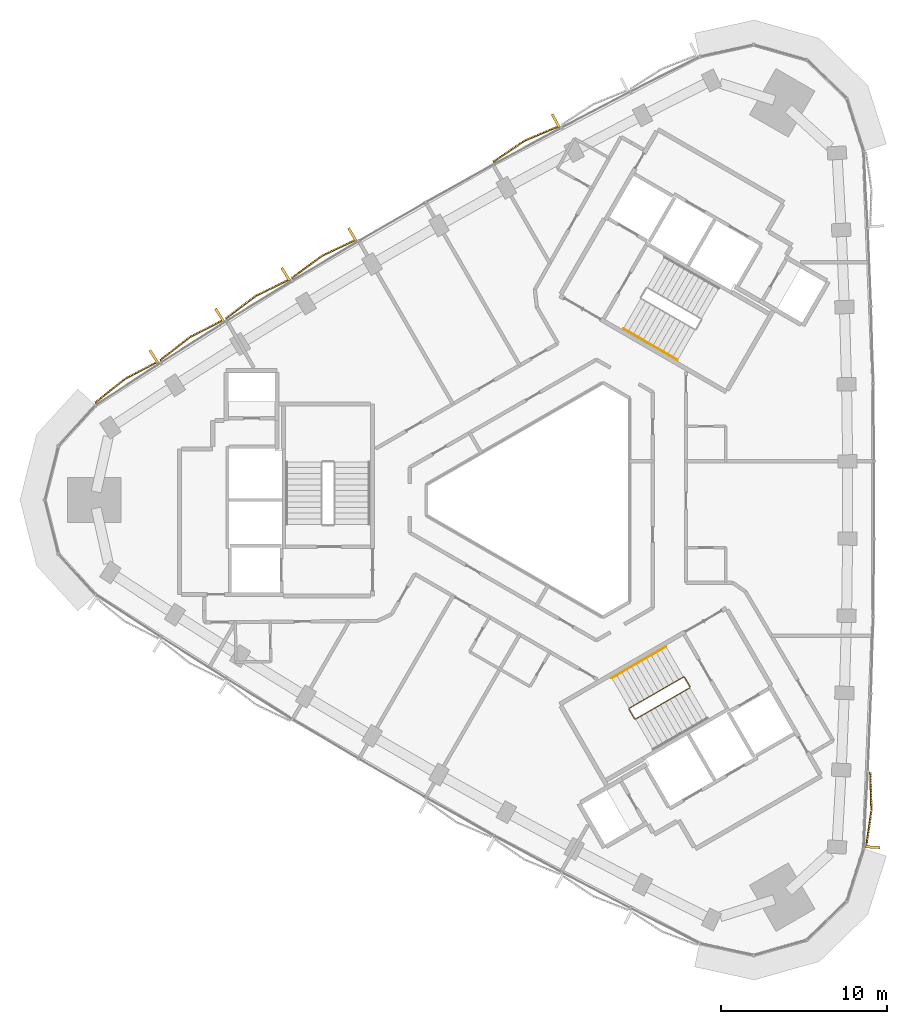
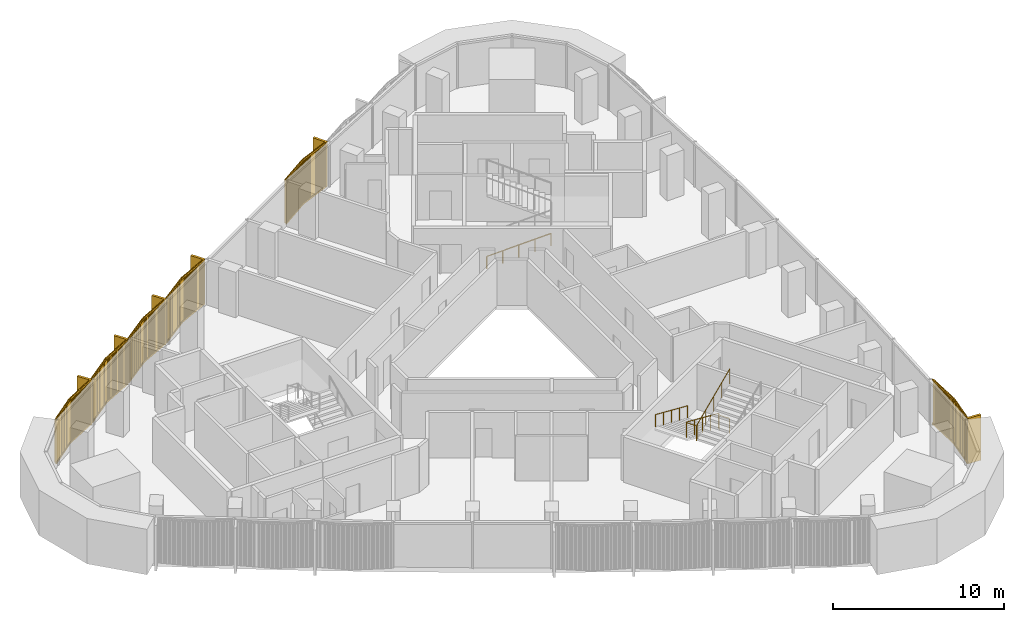
# One storey, part 12 of 13: 6 coverings, 3 railings.
"""IFC4 building model written with IfcOpenShell, lengths in metres."""

import ifcopenshell
import ifcopenshell.guid

model = None  # the IFC model being written
_history = None  # IfcOwnerHistory: only IFC2X3 demands one
_inside = {}  # id of a spatial element -> (the spatial element, [elements in it])
_under = {}  # id of a project, library or spatial element -> (it, [spatial elements below it])
_declared = {}  # id of a project -> (the project, [libraries it declares])
_typed = {}  # id of a type object -> (the type object, [elements of that type])
_made_of = {}  # id of a material, layer set ... -> (it, [elements and type objects made of it])


def new_model(schema):
    """Start an empty IFC model of exactly this schema.

    Asked for "IFC4X3", IfcOpenShell would pick the latest addendum, in which some entities
    have other attributes; the version numbers below select the first issue.
    IFC2X3 requires an IfcOwnerHistory on every rooted entity: one is made here for all.
    """
    global model, _history
    if schema == "IFC4X3":
        model = ifcopenshell.file(schema_version=(4, 3, 0, 0))
    else:
        model = ifcopenshell.file(schema=schema)
    _inside.clear()
    _under.clear()
    _declared.clear()
    _typed.clear()
    _made_of.clear()
    _history = None
    if model.schema == "IFC2X3":
        org = make("IfcOrganization", Name="unknown")
        user = make(
            "IfcPersonAndOrganization",
            ThePerson=make("IfcPerson", FamilyName="unknown"),
            TheOrganization=org,
        )
        app = make(
            "IfcApplication",
            ApplicationDeveloper=org,
            Version="unknown",
            ApplicationFullName="unknown",
            ApplicationIdentifier="unknown",
        )
        _history = make(
            "IfcOwnerHistory",
            OwningUser=user,
            OwningApplication=app,
            ChangeAction="ADDED",
            CreationDate=0,
        )
    return model


def make(cls, **values):
    """One entity of the class cls with the attributes given. An attribute that is None is left unset."""
    return model.create_entity(
        cls, **{name: value for name, value in values.items() if value is not None}
    )


def rooted(cls, **values):
    """An entity with a GlobalId (a new one), such as an element, a storey or a relation."""
    return make(cls, GlobalId=ifcopenshell.guid.new(), OwnerHistory=_history, **values)


def si_unit(unit_type, name, prefix=None):
    """IfcSIUnit, for example si_unit("LENGTHUNIT", "METRE", prefix="MILLI")."""
    return make("IfcSIUnit", UnitType=unit_type, Prefix=prefix, Name=name)


def assignment(units):
    """IfcUnitAssignment: the units of a project."""
    return None if units is None else make("IfcUnitAssignment", Units=units)


def point(xyz):
    """IfcCartesianPoint."""
    return None if xyz is None else make("IfcCartesianPoint", Coordinates=xyz)


def direction(xyz):
    """IfcDirection."""
    return None if xyz is None else make("IfcDirection", DirectionRatios=xyz)


def frame(location, z_axis=None, x_axis=None):
    """IfcAxis2Placement3D, a coordinate frame: its origin and axes. An axis left out is left unset."""
    return make(
        "IfcAxis2Placement3D",
        Location=point(location),
        Axis=direction(z_axis),
        RefDirection=direction(x_axis),
    )


def frame_2d(location, x_axis=None):
    """IfcAxis2Placement2D, a coordinate frame in the plane: its origin and x axis."""
    return make(
        "IfcAxis2Placement2D", Location=point(location), RefDirection=direction(x_axis)
    )


def origin():
    """The frame at (0, 0, 0) with its axes left unset."""
    return frame((0.0, 0.0, 0.0))


def origin_2d():
    """The frame at (0, 0) in the plane with its x axis left unset."""
    return frame_2d((0.0, 0.0))


def place(relative_to, where):
    """IfcLocalPlacement: puts the frame where relative to a parent placement (None: the world)."""
    return make(
        "IfcLocalPlacement", PlacementRelTo=relative_to, RelativePlacement=where
    )


def context(
    kind, dimensions, precision=None, world=None, true_north=None, identifier=None
):
    """IfcGeometricRepresentationContext, for example the 3D "Model" context."""
    return make(
        "IfcGeometricRepresentationContext",
        ContextIdentifier=identifier,
        ContextType=kind,
        CoordinateSpaceDimension=dimensions,
        Precision=precision,
        WorldCoordinateSystem=world,
        TrueNorth=true_north,
    )


def subcontext(parent, identifier, kind, view, scale=None):
    """IfcGeometricRepresentationSubContext, for example "Body" below "Model"."""
    return make(
        "IfcGeometricRepresentationSubContext",
        ContextIdentifier=identifier,
        ContextType=kind,
        ParentContext=parent,
        TargetScale=scale,
        TargetView=view,
    )


def project(units=None, contexts=None):
    """IfcProject with its units and contexts."""
    return rooted(
        "IfcProject",
        Name="project",
        RepresentationContexts=contexts,
        UnitsInContext=assignment(units),
    )


def spatial(cls, under=None, at=None, **own):
    """A site, building, storey or space (cls), placed at a placement, below another one or the project."""
    s = rooted(cls, ObjectPlacement=at, **own)
    if under is not None:
        _under.setdefault(under.id(), (under, []))[1].append(s)
    return s


def profile(cls, at=None, kind="AREA", **sizes):
    """A parametric profile (cls). Its sizes go by their IFC names, for example OverallWidth=200.0."""
    return make(cls, ProfileType=kind, Position=at, **sizes)


def rectangle(**sizes):
    """IfcRectangleProfileDef."""
    return profile("IfcRectangleProfileDef", **sizes)


def circle(**sizes):
    """IfcCircleProfileDef."""
    return profile("IfcCircleProfileDef", **sizes)


def extrude(swept, where, along, depth):
    """IfcExtrudedAreaSolid: the profile swept, set in the frame where, extruded along a direction by depth."""
    return make(
        "IfcExtrudedAreaSolid",
        SweptArea=swept,
        Position=where,
        ExtrudedDirection=direction(along),
        Depth=depth,
    )


def shape(context_of_items, identifier, shape_type, items):
    """IfcShapeRepresentation: the items that make up one representation, for example the "Body"."""
    return make(
        "IfcShapeRepresentation",
        ContextOfItems=context_of_items,
        RepresentationIdentifier=identifier,
        RepresentationType=shape_type,
        Items=items,
    )


def source(mapping_origin, context_of_items, identifier, shape_type, items):
    """IfcRepresentationMap: a shape defined once, which mapped items show again and again."""
    return make(
        "IfcRepresentationMap",
        MappingOrigin=mapping_origin,
        MappedRepresentation=shape(context_of_items, identifier, shape_type, items),
    )


def transform(
    local_origin,
    x_axis=None,
    y_axis=None,
    z_axis=None,
    scale=None,
    scale2=None,
    scale3=None,
    uniform=True,
):
    """IfcCartesianTransformationOperator3D, or its non-uniform kind. x_axis, y_axis, z_axis: its Axis1, 2, 3."""
    if uniform:
        return make(
            "IfcCartesianTransformationOperator3D",
            Axis1=direction(x_axis),
            Axis2=direction(y_axis),
            LocalOrigin=point(local_origin),
            Scale=scale,
            Axis3=direction(z_axis),
        )
    return make(
        "IfcCartesianTransformationOperator3DnonUniform",
        Axis1=direction(x_axis),
        Axis2=direction(y_axis),
        LocalOrigin=point(local_origin),
        Scale=scale,
        Axis3=direction(z_axis),
        Scale2=scale2,
        Scale3=scale3,
    )


def mapped(mapping_source, mapping_target):
    """IfcMappedItem: shows the shape of a source again, moved by a transform."""
    return make(
        "IfcMappedItem", MappingSource=mapping_source, MappingTarget=mapping_target
    )


def material(Name=None, Category=None):
    """IfcMaterial."""
    return make("IfcMaterial", Name=Name, Category=Category)


def made_of(thing, what):
    """Note that an element or type object is made of a material, layer set ...; save() writes the relation."""
    if what is not None:
        _made_of.setdefault(what.id(), (what, []))[1].append(thing)
    return thing


def type_object(cls, material=None, **own):
    """A type object (cls), such as IfcWallType, which elements share."""
    return made_of(rooted(cls, **own), material)


def element(
    cls,
    number,
    at=None,
    inside=None,
    cuts=None,
    type_object=None,
    material=None,
    context=None,
    identifier="Body",
    shape_type=None,
    held_by="IfcProductDefinitionShape",
    body=None,
    shapes=None,
    **own,
):
    """One element of the class cls, such as IfcWall. Its Tag is "e" and its number.

    at: its placement. inside: the storey or other place that contains it. cuts: it is an
    opening in that element (IfcRelVoidsElement). A single representation is given by context,
    identifier, shape_type and body (its items); several are given by shapes. held_by: the class
    of the entity that holds the representations. save() writes the other relations.
    """
    e = rooted(cls, Tag="e%d" % number, ObjectPlacement=at, **own)
    if body is not None:
        shapes = [shape(context, identifier, shape_type, body)]
    if shapes is not None:
        e.Representation = make(held_by, Representations=shapes)
    if inside is not None:
        _inside.setdefault(inside.id(), (inside, []))[1].append(e)
    if cuts is not None:
        rooted(
            "IfcRelVoidsElement", RelatingBuildingElement=cuts, RelatedOpeningElement=e
        )
    if type_object is not None:
        _typed.setdefault(type_object.id(), (type_object, []))[1].append(e)
    return made_of(e, material)


def aggregate(whole, parts):
    """IfcRelAggregates: a whole, such as a stair, and the parts it consists of."""
    return rooted("IfcRelAggregates", RelatingObject=whole, RelatedObjects=parts)


def save(model, path):
    """Write the relations noted so far, then the file.

    IfcRelAggregates (storeys below a building ...), IfcRelContainedInSpatialStructure (elements
    in a storey), IfcRelDefinesByType, IfcRelAssociatesMaterial and IfcRelDeclares: one each for
    every whole, place, type object, material and project.
    """
    for whole, parts in _under.values():
        aggregate(whole, parts)
    for where, things in _inside.values():
        rooted(
            "IfcRelContainedInSpatialStructure",
            RelatedElements=things,
            RelatingStructure=where,
        )
    for kind, things in _typed.values():
        rooted("IfcRelDefinesByType", RelatedObjects=things, RelatingType=kind)
    for what, things in _made_of.values():
        rooted("IfcRelAssociatesMaterial", RelatedObjects=things, RelatingMaterial=what)
    for by, libraries in _declared.values():
        rooted("IfcRelDeclares", RelatingContext=by, RelatedDefinitions=libraries)
    model.write(path)


model = new_model("IFC4")

# Units and contexts
model_context = context("Model", 3, precision=1e-05, world=origin(), true_north=direction((0.0, 1.0)))
body_context = subcontext(model_context, "Body", "Model", "MODEL_VIEW")
ifc_project = project(units=[si_unit("LENGTHUNIT", "METRE"), si_unit("AREAUNIT", "SQUARE_METRE"), si_unit("VOLUMEUNIT", "CUBIC_METRE"), si_unit("PLANEANGLEUNIT", "RADIAN"), si_unit("MASSUNIT", "GRAM", prefix="KILO")], contexts=[model_context])

# Site, building, storey
site_placement = place(None, origin())
site = spatial("IfcSite", under=ifc_project, at=site_placement, CompositionType="ELEMENT")
building_placement = place(site_placement, origin())
building = spatial("IfcBuilding", under=site, at=building_placement, Name="Tamra Quay Hotel Tower", CompositionType="ELEMENT")
storey_placement = place(building_placement, frame((0.0, 0.0, 182.800048828125)))
storey = spatial("IfcBuildingStorey", under=building, at=storey_placement, Name="L45", CompositionType="ELEMENT", Elevation=182.800048828125)

# Railings
ifc_material_1 = material(Name="Stair guard 1100")
railing_type_1 = type_object("IfcRailingType", Name="Stair guard 1100", PredefinedType="GUARDRAIL", material=ifc_material_1)
railing_1_placement = place(storey_placement, frame((8.245849609375, -11.221923828125, 0.0)))
element("IfcRailing", 1, at=railing_1_placement, inside=storey, type_object=railing_type_1, Name="GR", PredefinedType="GUARDRAIL", context=body_context, shape_type="SweptSolid", body=[
    extrude(circle(Radius=0.02392578125, at=origin_2d()), frame((0.0, 0.0, 1.076171875), z_axis=(-0.500043078269, 0.866000531106, 0.0), x_axis=(-0.866000531106, -0.500043078269, 0.0)), (0.0, 0.0, 1.0), 0.6591796875),
    extrude(circle(Radius=0.02392578125, at=origin_2d()), frame((-0.32958984375, 0.57080078125, 1.076171875), z_axis=(-0.41238007866, 0.110458949641, 0.904290601062), x_axis=(-0.258736085224, -0.965948051503, 0.0)), (0.0, 0.0, 1.0), 0.165771484375),
    extrude(circle(Radius=0.02392578125, at=origin_2d()), frame((-0.39794921875, 0.589111328125, 1.22607421875), z_axis=(-0.793081581205, -0.457901355053, 0.401681409319), x_axis=(0.500012686397, -0.866018079166, 0.0)), (0.0, 0.0, 1.0), 4.108154296875),
    extrude(circle(Radius=0.02392578125, at=origin_2d()), frame((-3.656005859375, -1.2919921875, 2.8759765625), z_axis=(-0.256368644879, -0.966579080015, 0.0), x_axis=(0.966579080015, -0.256368644879, 0.0)), (0.0, 0.0, 1.0), 0.070556640625),
    extrude(circle(Radius=0.02392578125, at=origin_2d()), frame((-3.674072265625, -1.360107421875, 2.8759765625), z_axis=(0.499765215335, -0.866160914346, 0.0), x_axis=(0.866160914346, 0.499765215335, 0.0)), (0.0, 0.0, 1.0), 0.658935546875),
    extrude(circle(Radius=0.02392578125, at=origin_2d()), frame((-3.3447265625, -1.930908203125, 2.8759765625), z_axis=(0.41238007866, -0.110458949641, 0.904290601062), x_axis=(0.258736085224, 0.965948051503, 0.0)), (0.0, 0.0, 1.0), 0.165771484375),
    extrude(circle(Radius=0.02392578125, at=origin_2d()), frame((-3.2763671875, -1.94921875, 3.02587890625), z_axis=(0.793100512587, 0.457912285461, 0.401631567183), x_axis=(-0.500012686397, 0.866018079166, 0.0)), (0.0, 0.0, 1.0), 4.10791015625),
    extrude(circle(Radius=0.02099609375, at=origin_2d()), origin(), (0.0, 0.0, 1.0), 1.052001953125),
    extrude(circle(Radius=0.02099609375, at=origin_2d()), frame((-0.32958984375, 0.57080078125, 0.0)), (0.0, 0.0, 1.0), 1.052001953125),
    extrude(circle(Radius=0.02099609375, at=origin_2d()), frame((-0.39794921875, 0.589111328125, 0.14990234375)), (0.0, 0.0, 1.0), 1.052001953125),
    extrude(circle(Radius=0.02099609375, at=origin_2d()), frame((-1.21240234375, 0.118896484375, 0.5625)), (0.0, 0.0, 1.0), 1.052001953125),
    extrude(circle(Radius=0.02099609375, at=origin_2d()), frame((-2.02685546875, -0.3515625, 0.97509765625)), (0.0, 0.0, 1.0), 1.052001953125),
    extrude(circle(Radius=0.02099609375, at=origin_2d()), frame((-2.841552734375, -0.82177734375, 1.387451171875)), (0.0, 0.0, 1.0), 1.052001953125),
    extrude(circle(Radius=0.02099609375, at=origin_2d()), frame((-3.656005859375, -1.2919921875, 1.800048828125)), (0.0, 0.0, 1.0), 1.052001953125),
    extrude(circle(Radius=0.02099609375, at=origin_2d()), frame((-3.674072265625, -1.360107421875, 1.800048828125)), (0.0, 0.0, 1.0), 1.052001953125),
    extrude(circle(Radius=0.02099609375, at=origin_2d()), frame((-3.3447265625, -1.930908203125, 1.800048828125)), (0.0, 0.0, 1.0), 1.052001953125),
    extrude(circle(Radius=0.02099609375, at=origin_2d()), frame((-3.2763671875, -1.94921875, 1.949951171875)), (0.0, 0.0, 1.0), 1.052001953125),
    extrude(circle(Radius=0.02099609375, at=origin_2d()), frame((-2.4619140625, -1.47900390625, 2.3623046875)), (0.0, 0.0, 1.0), 1.052001953125),
    extrude(circle(Radius=0.02099609375, at=origin_2d()), frame((-1.6474609375, -1.0087890625, 2.77490234375)), (0.0, 0.0, 1.0), 1.052001953125),
    extrude(circle(Radius=0.02099609375, at=origin_2d()), frame((-0.832763671875, -0.538330078125, 3.1875)), (0.0, 0.0, 1.0), 1.052001953125),
    extrude(circle(Radius=0.02099609375, at=origin_2d()), frame((-0.018310546875, -0.068115234375, 3.599853515625)), (0.0, 0.0, 1.0), 1.052001953125),
])
ifc_material_2 = material(Name="Stair handrail 900")
railing_type_2 = type_object("IfcRailingType", Name="Stair handrail 900", PredefinedType="HANDRAIL", material=ifc_material_2)
railing_2_placement = place(storey_placement, frame((4.234375, 10.294189453125, 0.14990234375)))
element("IfcRailing", 2, at=railing_2_placement, inside=storey, type_object=railing_type_2, Name="HR", PredefinedType="HANDRAIL", context=body_context, shape_type="SweptSolid", body=[
    extrude(circle(Radius=0.02392578125, at=origin_2d()), frame((0.0, 0.0, 0.8759765625), z_axis=(0.793103162556, -0.457854384738, 0.401692339881), x_axis=(0.499964013922, 0.86604617936, 0.0)), (0.0, 0.0, 1.0), 4.10791015625),
    extrude(circle(Radius=0.02099609375, at=origin_2d()), origin(), (0.0, 0.0, 1.0), 0.851806640625),
    extrude(circle(Radius=0.02099609375, at=origin_2d()), frame((0.814453125, -0.47021484375, 0.41259765625)), (0.0, 0.0, 1.0), 0.851806640625),
    extrude(circle(Radius=0.02099609375, at=origin_2d()), frame((1.62890625, -0.9404296875, 0.8251953125)), (0.0, 0.0, 1.0), 0.851806640625),
    extrude(circle(Radius=0.02099609375, at=origin_2d()), frame((2.443603515625, -1.41064453125, 1.237548828125)), (0.0, 0.0, 1.0), 0.851806640625),
    extrude(circle(Radius=0.02099609375, at=origin_2d()), frame((3.258056640625, -1.880859375, 1.650146484375)), (0.0, 0.0, 1.0), 0.851806640625),
])
railing_3_placement = place(storey_placement, frame((6.7978515625, -8.814208984375, 0.14990234375)))
element("IfcRailing", 3, at=railing_3_placement, inside=storey, type_object=railing_type_2, Name="HR", PredefinedType="HANDRAIL", context=body_context, shape_type="SweptSolid", body=[
    extrude(circle(Radius=0.02392578125, at=origin_2d()), frame((0.0, 0.0, 0.8759765625), z_axis=(-0.793081112945, -0.457875966286, 0.40171127416), x_axis=(0.499992114976, -0.866029956157, 0.0)), (0.0, 0.0, 1.0), 4.10791015625),
    extrude(circle(Radius=0.02099609375, at=origin_2d()), origin(), (0.0, 0.0, 1.0), 0.851806640625),
    extrude(circle(Radius=0.02099609375, at=origin_2d()), frame((-0.814453125, -0.47021484375, 0.41259765625)), (0.0, 0.0, 1.0), 0.851806640625),
    extrude(circle(Radius=0.02099609375, at=origin_2d()), frame((-1.62890625, -0.9404296875, 0.8251953125)), (0.0, 0.0, 1.0), 0.851806640625),
    extrude(circle(Radius=0.02099609375, at=origin_2d()), frame((-2.443359375, -1.41064453125, 1.237548828125)), (0.0, 0.0, 1.0), 0.851806640625),
    extrude(circle(Radius=0.02099609375, at=origin_2d()), frame((-3.2578125, -1.880859375, 1.650146484375)), (0.0, 0.0, 1.0), 0.851806640625),
])

# Coverings
ifc_material_3 = material(Name="Terracotta baguette extruded", Category="masonry")
covering_type_1 = type_object("IfcCoveringType", Name="BAGUETTE SCREEN E-V H3250", PredefinedType="USERDEFINED", material=ifc_material_3)
shared_shape_1 = source(origin(), body_context, "Body", "SweptSolid", [
    extrude(rectangle(XDim=2.291259765625, YDim=0.06005859375, at=frame_2d((1.1455078125, 0.030029296875))), frame((-2.287841796875, -0.057861328125, -0.1201171875), z_axis=(0.0, 0.0, 1.0), x_axis=(0.996194698092, -0.087155742748, 0.0)), (0.0, 0.0, 1.0), 0.1201171875),
    extrude(rectangle(XDim=2.291259765625, YDim=0.06005859375, at=frame_2d((1.1455078125, 0.030029296875))), frame((-2.287841796875, -0.057861328125, -3.25), z_axis=(0.0, 0.0, 1.0), x_axis=(0.996194698092, -0.087155742748, 0.0)), (0.0, 0.0, 1.0), 0.1201171875),
    extrude(rectangle(XDim=0.070068359375, YDim=0.10009765625, at=frame_2d((0.03515625, 0.050048828125))), frame((-2.267822265625, -0.13232421875, -3.18994140625)), (0.0, 0.0, 1.0), 3.1298828125),
    extrude(rectangle(XDim=0.070068359375, YDim=0.10009765625, at=frame_2d((0.03515625, 0.050048828125))), frame((-2.168701171875, -0.14111328125, -3.18994140625)), (0.0, 0.0, 1.0), 3.1298828125),
    extrude(rectangle(XDim=0.070068359375, YDim=0.10009765625, at=frame_2d((0.03515625, 0.050048828125))), frame((-2.0693359375, -0.149658203125, -3.18994140625)), (0.0, 0.0, 1.0), 3.1298828125),
    extrude(rectangle(XDim=0.070068359375, YDim=0.10009765625, at=frame_2d((0.03515625, 0.050048828125))), frame((-1.97021484375, -0.158447265625, -3.18994140625)), (0.0, 0.0, 1.0), 3.1298828125),
    extrude(rectangle(XDim=0.070068359375, YDim=0.10009765625, at=frame_2d((0.03515625, 0.050048828125))), frame((-1.870849609375, -0.1669921875, -3.18994140625)), (0.0, 0.0, 1.0), 3.1298828125),
    extrude(rectangle(XDim=0.070068359375, YDim=0.10009765625, at=frame_2d((0.03515625, 0.050048828125))), frame((-1.771728515625, -0.17578125, -3.18994140625)), (0.0, 0.0, 1.0), 3.1298828125),
    extrude(rectangle(XDim=0.070068359375, YDim=0.10009765625, at=frame_2d((0.03515625, 0.050048828125))), frame((-1.67236328125, -0.184326171875, -3.18994140625)), (0.0, 0.0, 1.0), 3.1298828125),
    extrude(rectangle(XDim=0.070068359375, YDim=0.10009765625, at=frame_2d((0.03515625, 0.050048828125))), frame((-1.5732421875, -0.193115234375, -3.18994140625)), (0.0, 0.0, 1.0), 3.1298828125),
    extrude(rectangle(XDim=0.070068359375, YDim=0.10009765625, at=frame_2d((0.03515625, 0.050048828125))), frame((-1.473876953125, -0.201904296875, -3.18994140625)), (0.0, 0.0, 1.0), 3.1298828125),
    extrude(rectangle(XDim=0.070068359375, YDim=0.10009765625, at=frame_2d((0.03515625, 0.050048828125))), frame((-1.374755859375, -0.21044921875, -3.18994140625)), (0.0, 0.0, 1.0), 3.1298828125),
    extrude(rectangle(XDim=0.070068359375, YDim=0.10009765625, at=frame_2d((0.03515625, 0.050048828125))), frame((-1.275390625, -0.21923828125, -3.18994140625)), (0.0, 0.0, 1.0), 3.1298828125),
    extrude(rectangle(XDim=0.070068359375, YDim=0.10009765625, at=frame_2d((0.03515625, 0.050048828125))), frame((-1.17626953125, -0.227783203125, -3.18994140625)), (0.0, 0.0, 1.0), 3.1298828125),
    extrude(rectangle(XDim=0.070068359375, YDim=0.10009765625, at=frame_2d((0.03515625, 0.050048828125))), frame((-1.076904296875, -0.236572265625, -3.18994140625)), (0.0, 0.0, 1.0), 3.1298828125),
    extrude(rectangle(XDim=0.070068359375, YDim=0.10009765625, at=frame_2d((0.03515625, 0.050048828125))), frame((-0.977783203125, -0.2451171875, -3.18994140625)), (0.0, 0.0, 1.0), 3.1298828125),
    extrude(rectangle(XDim=0.070068359375, YDim=0.10009765625, at=frame_2d((0.03515625, 0.050048828125))), frame((-0.87841796875, -0.25390625, -3.18994140625)), (0.0, 0.0, 1.0), 3.1298828125),
    extrude(rectangle(XDim=0.070068359375, YDim=0.10009765625, at=frame_2d((0.03515625, 0.050048828125))), frame((-0.779296875, -0.2626953125, -3.18994140625)), (0.0, 0.0, 1.0), 3.1298828125),
    extrude(rectangle(XDim=0.070068359375, YDim=0.10009765625, at=frame_2d((0.03515625, 0.050048828125))), frame((-0.679931640625, -0.271240234375, -3.18994140625)), (0.0, 0.0, 1.0), 3.1298828125),
    extrude(rectangle(XDim=0.070068359375, YDim=0.10009765625, at=frame_2d((0.03515625, 0.050048828125))), frame((-0.580810546875, -0.280029296875, -3.18994140625)), (0.0, 0.0, 1.0), 3.1298828125),
    extrude(rectangle(XDim=0.070068359375, YDim=0.10009765625, at=frame_2d((0.03515625, 0.050048828125))), frame((-0.481689453125, -0.28857421875, -3.18994140625)), (0.0, 0.0, 1.0), 3.1298828125),
    extrude(rectangle(XDim=0.070068359375, YDim=0.10009765625, at=frame_2d((0.03515625, 0.050048828125))), frame((-0.38232421875, -0.29736328125, -3.18994140625)), (0.0, 0.0, 1.0), 3.1298828125),
    extrude(rectangle(XDim=0.070068359375, YDim=0.10009765625, at=frame_2d((0.03515625, 0.050048828125))), frame((-0.283203125, -0.305908203125, -3.18994140625)), (0.0, 0.0, 1.0), 3.1298828125),
    extrude(rectangle(XDim=0.070068359375, YDim=0.10009765625, at=frame_2d((0.03515625, 0.050048828125))), frame((-0.183837890625, -0.314697265625, -3.18994140625)), (0.0, 0.0, 1.0), 3.1298828125),
    extrude(rectangle(XDim=0.070068359375, YDim=0.10009765625, at=frame_2d((0.03515625, 0.050048828125))), frame((-0.084716796875, -0.3232421875, -3.18994140625)), (0.0, 0.0, 1.0), 3.1298828125),
    extrude(rectangle(XDim=2.291259765625, YDim=0.06005859375, at=frame_2d((1.1455078125, 0.030029296875))), frame((0.005126953125, -0.257568359375, -0.1201171875), z_axis=(0.0, 0.0, 1.0), x_axis=(0.996194698092, 0.087155742748, 0.0)), (0.0, 0.0, 1.0), 0.1201171875),
    extrude(rectangle(XDim=2.291259765625, YDim=0.06005859375, at=frame_2d((1.1455078125, 0.030029296875))), frame((0.005126953125, -0.257568359375, -3.25), z_axis=(0.0, 0.0, 1.0), x_axis=(0.996194698092, 0.087155742748, 0.0)), (0.0, 0.0, 1.0), 0.1201171875),
    extrude(rectangle(XDim=0.070068359375, YDim=0.10009765625, at=frame_2d((0.03515625, 0.050048828125))), frame((0.0146484375, -0.3232421875, -3.18994140625)), (0.0, 0.0, 1.0), 3.1298828125),
    extrude(rectangle(XDim=0.070068359375, YDim=0.10009765625, at=frame_2d((0.03515625, 0.050048828125))), frame((0.11376953125, -0.314697265625, -3.18994140625)), (0.0, 0.0, 1.0), 3.1298828125),
    extrude(rectangle(XDim=0.070068359375, YDim=0.10009765625, at=frame_2d((0.03515625, 0.050048828125))), frame((0.213134765625, -0.305908203125, -3.18994140625)), (0.0, 0.0, 1.0), 3.1298828125),
    extrude(rectangle(XDim=0.070068359375, YDim=0.10009765625, at=frame_2d((0.03515625, 0.050048828125))), frame((0.312255859375, -0.29736328125, -3.18994140625)), (0.0, 0.0, 1.0), 3.1298828125),
    extrude(rectangle(XDim=0.070068359375, YDim=0.10009765625, at=frame_2d((0.03515625, 0.050048828125))), frame((0.41162109375, -0.28857421875, -3.18994140625)), (0.0, 0.0, 1.0), 3.1298828125),
    extrude(rectangle(XDim=0.070068359375, YDim=0.10009765625, at=frame_2d((0.03515625, 0.050048828125))), frame((0.5107421875, -0.280029296875, -3.18994140625)), (0.0, 0.0, 1.0), 3.1298828125),
    extrude(rectangle(XDim=0.070068359375, YDim=0.10009765625, at=frame_2d((0.03515625, 0.050048828125))), frame((0.610107421875, -0.271240234375, -3.18994140625)), (0.0, 0.0, 1.0), 3.1298828125),
    extrude(rectangle(XDim=0.070068359375, YDim=0.10009765625, at=frame_2d((0.03515625, 0.050048828125))), frame((0.709228515625, -0.2626953125, -3.18994140625)), (0.0, 0.0, 1.0), 3.1298828125),
    extrude(rectangle(XDim=0.070068359375, YDim=0.10009765625, at=frame_2d((0.03515625, 0.050048828125))), frame((0.80859375, -0.25390625, -3.18994140625)), (0.0, 0.0, 1.0), 3.1298828125),
    extrude(rectangle(XDim=0.070068359375, YDim=0.10009765625, at=frame_2d((0.03515625, 0.050048828125))), frame((0.90771484375, -0.2451171875, -3.18994140625)), (0.0, 0.0, 1.0), 3.1298828125),
    extrude(rectangle(XDim=0.070068359375, YDim=0.10009765625, at=frame_2d((0.03515625, 0.050048828125))), frame((1.007080078125, -0.236572265625, -3.18994140625)), (0.0, 0.0, 1.0), 3.1298828125),
    extrude(rectangle(XDim=0.070068359375, YDim=0.10009765625, at=frame_2d((0.03515625, 0.050048828125))), frame((1.106201171875, -0.227783203125, -3.18994140625)), (0.0, 0.0, 1.0), 3.1298828125),
    extrude(rectangle(XDim=0.070068359375, YDim=0.10009765625, at=frame_2d((0.03515625, 0.050048828125))), frame((1.20556640625, -0.21923828125, -3.18994140625)), (0.0, 0.0, 1.0), 3.1298828125),
    extrude(rectangle(XDim=0.070068359375, YDim=0.10009765625, at=frame_2d((0.03515625, 0.050048828125))), frame((1.3046875, -0.21044921875, -3.18994140625)), (0.0, 0.0, 1.0), 3.1298828125),
    extrude(rectangle(XDim=0.070068359375, YDim=0.10009765625, at=frame_2d((0.03515625, 0.050048828125))), frame((1.404052734375, -0.201904296875, -3.18994140625)), (0.0, 0.0, 1.0), 3.1298828125),
    extrude(rectangle(XDim=0.070068359375, YDim=0.10009765625, at=frame_2d((0.03515625, 0.050048828125))), frame((1.503173828125, -0.193115234375, -3.18994140625)), (0.0, 0.0, 1.0), 3.1298828125),
    extrude(rectangle(XDim=0.070068359375, YDim=0.10009765625, at=frame_2d((0.03515625, 0.050048828125))), frame((1.6025390625, -0.184326171875, -3.18994140625)), (0.0, 0.0, 1.0), 3.1298828125),
    extrude(rectangle(XDim=0.070068359375, YDim=0.10009765625, at=frame_2d((0.03515625, 0.050048828125))), frame((1.70166015625, -0.17578125, -3.18994140625)), (0.0, 0.0, 1.0), 3.1298828125),
    extrude(rectangle(XDim=0.070068359375, YDim=0.10009765625, at=frame_2d((0.03515625, 0.050048828125))), frame((1.801025390625, -0.1669921875, -3.18994140625)), (0.0, 0.0, 1.0), 3.1298828125),
    extrude(rectangle(XDim=0.070068359375, YDim=0.10009765625, at=frame_2d((0.03515625, 0.050048828125))), frame((1.900146484375, -0.158447265625, -3.18994140625)), (0.0, 0.0, 1.0), 3.1298828125),
    extrude(rectangle(XDim=0.070068359375, YDim=0.10009765625, at=frame_2d((0.03515625, 0.050048828125))), frame((1.99951171875, -0.149658203125, -3.18994140625)), (0.0, 0.0, 1.0), 3.1298828125),
    extrude(rectangle(XDim=0.070068359375, YDim=0.10009765625, at=frame_2d((0.03515625, 0.050048828125))), frame((2.0986328125, -0.14111328125, -3.18994140625)), (0.0, 0.0, 1.0), 3.1298828125),
    extrude(rectangle(XDim=0.070068359375, YDim=0.10009765625, at=frame_2d((0.03515625, 0.050048828125))), frame((2.197998046875, -0.13232421875, -3.18994140625)), (0.0, 0.0, 1.0), 3.1298828125),
    extrude(rectangle(XDim=0.14990234375, YDim=0.902099609375, at=frame_2d((0.074951171875, 0.451171875))), frame((-2.282470703125, -0.89990234375, -3.25)), (0.0, 0.0, 1.0), 3.25),
])
covering_placement = place(storey_placement, frame((18.88232421875, -18.6337890625, 3.25), z_axis=(0.0, 0.0, 1.0), x_axis=(0.055416978175, 0.998463298539, 0.0)))
element("IfcCovering", 4, at=covering_placement, inside=storey, type_object=covering_type_1, Name="Baguette screen L45.E.f00", ObjectType="BAGUETTE SCREEN", PredefinedType="USERDEFINED", context=body_context, shape_type="MappedRepresentation", body=[
    mapped(shared_shape_1, transform((0.0, 0.0, 0.0), scale=1.0)),
])
covering_type_2 = type_object("IfcCoveringType", Name="BAGUETTE SCREEN NW-V H3250", PredefinedType="USERDEFINED", material=ifc_material_3)
shared_shape_2 = source(origin(), body_context, "Body", "SweptSolid", [
    extrude(rectangle(XDim=2.29296875, YDim=0.06005859375, at=frame_2d((1.146484375, 0.030029296875))), frame((-2.288330078125, -0.0576171875, -0.1201171875), z_axis=(0.0, 0.0, 1.0), x_axis=(0.995396198367, -0.09584575252, 0.0)), (0.0, 0.0, 1.0), 0.1201171875),
    extrude(rectangle(XDim=2.29296875, YDim=0.06005859375, at=frame_2d((1.146484375, 0.030029296875))), frame((-2.288330078125, -0.0576171875, -3.25), z_axis=(0.0, 0.0, 1.0), x_axis=(0.995396198367, -0.09584575252, 0.0)), (0.0, 0.0, 1.0), 0.1201171875),
    extrude(rectangle(XDim=0.070068359375, YDim=0.10009765625, at=frame_2d((0.03515625, 0.050048828125))), frame((-2.267822265625, -0.1328125, -3.18994140625)), (0.0, 0.0, 1.0), 3.1298828125),
    extrude(rectangle(XDim=0.070068359375, YDim=0.10009765625, at=frame_2d((0.03515625, 0.050048828125))), frame((-2.168701171875, -0.142333984375, -3.18994140625)), (0.0, 0.0, 1.0), 3.1298828125),
    extrude(rectangle(XDim=0.070068359375, YDim=0.10009765625, at=frame_2d((0.03515625, 0.050048828125))), frame((-2.0693359375, -0.15185546875, -3.18994140625)), (0.0, 0.0, 1.0), 3.1298828125),
    extrude(rectangle(XDim=0.070068359375, YDim=0.10009765625, at=frame_2d((0.03515625, 0.050048828125))), frame((-1.97021484375, -0.161376953125, -3.18994140625)), (0.0, 0.0, 1.0), 3.1298828125),
    extrude(rectangle(XDim=0.070068359375, YDim=0.10009765625, at=frame_2d((0.03515625, 0.050048828125))), frame((-1.870849609375, -0.1708984375, -3.18994140625)), (0.0, 0.0, 1.0), 3.1298828125),
    extrude(rectangle(XDim=0.070068359375, YDim=0.10009765625, at=frame_2d((0.03515625, 0.050048828125))), frame((-1.771728515625, -0.1806640625, -3.18994140625)), (0.0, 0.0, 1.0), 3.1298828125),
    extrude(rectangle(XDim=0.070068359375, YDim=0.10009765625, at=frame_2d((0.03515625, 0.050048828125))), frame((-1.67236328125, -0.190185546875, -3.18994140625)), (0.0, 0.0, 1.0), 3.1298828125),
    extrude(rectangle(XDim=0.070068359375, YDim=0.10009765625, at=frame_2d((0.03515625, 0.050048828125))), frame((-1.5732421875, -0.19970703125, -3.18994140625)), (0.0, 0.0, 1.0), 3.1298828125),
    extrude(rectangle(XDim=0.070068359375, YDim=0.10009765625, at=frame_2d((0.03515625, 0.050048828125))), frame((-1.473876953125, -0.209228515625, -3.18994140625)), (0.0, 0.0, 1.0), 3.1298828125),
    extrude(rectangle(XDim=0.070068359375, YDim=0.10009765625, at=frame_2d((0.03515625, 0.050048828125))), frame((-1.374755859375, -0.21875, -3.18994140625)), (0.0, 0.0, 1.0), 3.1298828125),
    extrude(rectangle(XDim=0.070068359375, YDim=0.10009765625, at=frame_2d((0.03515625, 0.050048828125))), frame((-1.275390625, -0.228271484375, -3.18994140625)), (0.0, 0.0, 1.0), 3.1298828125),
    extrude(rectangle(XDim=0.070068359375, YDim=0.10009765625, at=frame_2d((0.03515625, 0.050048828125))), frame((-1.17626953125, -0.23779296875, -3.18994140625)), (0.0, 0.0, 1.0), 3.1298828125),
    extrude(rectangle(XDim=0.070068359375, YDim=0.10009765625, at=frame_2d((0.03515625, 0.050048828125))), frame((-1.076904296875, -0.24755859375, -3.18994140625)), (0.0, 0.0, 1.0), 3.1298828125),
    extrude(rectangle(XDim=0.070068359375, YDim=0.10009765625, at=frame_2d((0.03515625, 0.050048828125))), frame((-0.977783203125, -0.257080078125, -3.18994140625)), (0.0, 0.0, 1.0), 3.1298828125),
    extrude(rectangle(XDim=0.070068359375, YDim=0.10009765625, at=frame_2d((0.03515625, 0.050048828125))), frame((-0.87841796875, -0.2666015625, -3.18994140625)), (0.0, 0.0, 1.0), 3.1298828125),
    extrude(rectangle(XDim=0.070068359375, YDim=0.10009765625, at=frame_2d((0.03515625, 0.050048828125))), frame((-0.779296875, -0.276123046875, -3.18994140625)), (0.0, 0.0, 1.0), 3.1298828125),
    extrude(rectangle(XDim=0.070068359375, YDim=0.10009765625, at=frame_2d((0.03515625, 0.050048828125))), frame((-0.679931640625, -0.28564453125, -3.18994140625)), (0.0, 0.0, 1.0), 3.1298828125),
    extrude(rectangle(XDim=0.070068359375, YDim=0.10009765625, at=frame_2d((0.03515625, 0.050048828125))), frame((-0.580810546875, -0.295166015625, -3.18994140625)), (0.0, 0.0, 1.0), 3.1298828125),
    extrude(rectangle(XDim=0.070068359375, YDim=0.10009765625, at=frame_2d((0.03515625, 0.050048828125))), frame((-0.481689453125, -0.3046875, -3.18994140625)), (0.0, 0.0, 1.0), 3.1298828125),
    extrude(rectangle(XDim=0.070068359375, YDim=0.10009765625, at=frame_2d((0.03515625, 0.050048828125))), frame((-0.38232421875, -0.314453125, -3.18994140625)), (0.0, 0.0, 1.0), 3.1298828125),
    extrude(rectangle(XDim=0.070068359375, YDim=0.10009765625, at=frame_2d((0.03515625, 0.050048828125))), frame((-0.283203125, -0.323974609375, -3.18994140625)), (0.0, 0.0, 1.0), 3.1298828125),
    extrude(rectangle(XDim=0.070068359375, YDim=0.10009765625, at=frame_2d((0.03515625, 0.050048828125))), frame((-0.183837890625, -0.33349609375, -3.18994140625)), (0.0, 0.0, 1.0), 3.1298828125),
    extrude(rectangle(XDim=0.070068359375, YDim=0.10009765625, at=frame_2d((0.03515625, 0.050048828125))), frame((-0.084716796875, -0.343017578125, -3.18994140625)), (0.0, 0.0, 1.0), 3.1298828125),
    extrude(rectangle(XDim=2.29296875, YDim=0.06005859375, at=frame_2d((1.146484375, 0.030029296875))), frame((0.005859375, -0.277587890625, -0.1201171875), z_axis=(0.0, 0.0, 1.0), x_axis=(0.995396198367, 0.09584575252, 0.0)), (0.0, 0.0, 1.0), 0.1201171875),
    extrude(rectangle(XDim=2.29296875, YDim=0.06005859375, at=frame_2d((1.146484375, 0.030029296875))), frame((0.005859375, -0.277587890625, -3.25), z_axis=(0.0, 0.0, 1.0), x_axis=(0.995396198367, 0.09584575252, 0.0)), (0.0, 0.0, 1.0), 0.1201171875),
    extrude(rectangle(XDim=0.070068359375, YDim=0.10009765625, at=frame_2d((0.03515625, 0.050048828125))), frame((0.0146484375, -0.343017578125, -3.18994140625)), (0.0, 0.0, 1.0), 3.1298828125),
    extrude(rectangle(XDim=0.070068359375, YDim=0.10009765625, at=frame_2d((0.03515625, 0.050048828125))), frame((0.11376953125, -0.33349609375, -3.18994140625)), (0.0, 0.0, 1.0), 3.1298828125),
    extrude(rectangle(XDim=0.070068359375, YDim=0.10009765625, at=frame_2d((0.03515625, 0.050048828125))), frame((0.213134765625, -0.323974609375, -3.18994140625)), (0.0, 0.0, 1.0), 3.1298828125),
    extrude(rectangle(XDim=0.070068359375, YDim=0.10009765625, at=frame_2d((0.03515625, 0.050048828125))), frame((0.312255859375, -0.314453125, -3.18994140625)), (0.0, 0.0, 1.0), 3.1298828125),
    extrude(rectangle(XDim=0.070068359375, YDim=0.10009765625, at=frame_2d((0.03515625, 0.050048828125))), frame((0.41162109375, -0.3046875, -3.18994140625)), (0.0, 0.0, 1.0), 3.1298828125),
    extrude(rectangle(XDim=0.070068359375, YDim=0.10009765625, at=frame_2d((0.03515625, 0.050048828125))), frame((0.5107421875, -0.295166015625, -3.18994140625)), (0.0, 0.0, 1.0), 3.1298828125),
    extrude(rectangle(XDim=0.070068359375, YDim=0.10009765625, at=frame_2d((0.03515625, 0.050048828125))), frame((0.610107421875, -0.28564453125, -3.18994140625)), (0.0, 0.0, 1.0), 3.1298828125),
    extrude(rectangle(XDim=0.070068359375, YDim=0.10009765625, at=frame_2d((0.03515625, 0.050048828125))), frame((0.709228515625, -0.276123046875, -3.18994140625)), (0.0, 0.0, 1.0), 3.1298828125),
    extrude(rectangle(XDim=0.070068359375, YDim=0.10009765625, at=frame_2d((0.03515625, 0.050048828125))), frame((0.80859375, -0.2666015625, -3.18994140625)), (0.0, 0.0, 1.0), 3.1298828125),
    extrude(rectangle(XDim=0.070068359375, YDim=0.10009765625, at=frame_2d((0.03515625, 0.050048828125))), frame((0.90771484375, -0.257080078125, -3.18994140625)), (0.0, 0.0, 1.0), 3.1298828125),
    extrude(rectangle(XDim=0.070068359375, YDim=0.10009765625, at=frame_2d((0.03515625, 0.050048828125))), frame((1.007080078125, -0.24755859375, -3.18994140625)), (0.0, 0.0, 1.0), 3.1298828125),
    extrude(rectangle(XDim=0.070068359375, YDim=0.10009765625, at=frame_2d((0.03515625, 0.050048828125))), frame((1.106201171875, -0.23779296875, -3.18994140625)), (0.0, 0.0, 1.0), 3.1298828125),
    extrude(rectangle(XDim=0.070068359375, YDim=0.10009765625, at=frame_2d((0.03515625, 0.050048828125))), frame((1.20556640625, -0.228271484375, -3.18994140625)), (0.0, 0.0, 1.0), 3.1298828125),
    extrude(rectangle(XDim=0.070068359375, YDim=0.10009765625, at=frame_2d((0.03515625, 0.050048828125))), frame((1.3046875, -0.21875, -3.18994140625)), (0.0, 0.0, 1.0), 3.1298828125),
    extrude(rectangle(XDim=0.070068359375, YDim=0.10009765625, at=frame_2d((0.03515625, 0.050048828125))), frame((1.404052734375, -0.209228515625, -3.18994140625)), (0.0, 0.0, 1.0), 3.1298828125),
    extrude(rectangle(XDim=0.070068359375, YDim=0.10009765625, at=frame_2d((0.03515625, 0.050048828125))), frame((1.503173828125, -0.19970703125, -3.18994140625)), (0.0, 0.0, 1.0), 3.1298828125),
    extrude(rectangle(XDim=0.070068359375, YDim=0.10009765625, at=frame_2d((0.03515625, 0.050048828125))), frame((1.6025390625, -0.190185546875, -3.18994140625)), (0.0, 0.0, 1.0), 3.1298828125),
    extrude(rectangle(XDim=0.070068359375, YDim=0.10009765625, at=frame_2d((0.03515625, 0.050048828125))), frame((1.70166015625, -0.1806640625, -3.18994140625)), (0.0, 0.0, 1.0), 3.1298828125),
    extrude(rectangle(XDim=0.070068359375, YDim=0.10009765625, at=frame_2d((0.03515625, 0.050048828125))), frame((1.801025390625, -0.1708984375, -3.18994140625)), (0.0, 0.0, 1.0), 3.1298828125),
    extrude(rectangle(XDim=0.070068359375, YDim=0.10009765625, at=frame_2d((0.03515625, 0.050048828125))), frame((1.900146484375, -0.161376953125, -3.18994140625)), (0.0, 0.0, 1.0), 3.1298828125),
    extrude(rectangle(XDim=0.070068359375, YDim=0.10009765625, at=frame_2d((0.03515625, 0.050048828125))), frame((1.99951171875, -0.15185546875, -3.18994140625)), (0.0, 0.0, 1.0), 3.1298828125),
    extrude(rectangle(XDim=0.070068359375, YDim=0.10009765625, at=frame_2d((0.03515625, 0.050048828125))), frame((2.0986328125, -0.142333984375, -3.18994140625)), (0.0, 0.0, 1.0), 3.1298828125),
    extrude(rectangle(XDim=0.070068359375, YDim=0.10009765625, at=frame_2d((0.03515625, 0.050048828125))), frame((2.197998046875, -0.1328125, -3.18994140625)), (0.0, 0.0, 1.0), 3.1298828125),
    extrude(rectangle(XDim=0.14990234375, YDim=0.902099609375, at=frame_2d((0.074951171875, 0.451171875))), frame((-2.282470703125, -0.89990234375, -3.25)), (0.0, 0.0, 1.0), 3.25),
])
for number, where, z_axis, x_axis, name in (
    (5, (-1.563232421875, 21.3486328125, 3.25), (0.0, 0.0, 1.0), (-0.879568649865, -0.475771993896, 0.0), "Baguette screen L45.NW.f02"),
    (6, (-13.72021484375, 14.44189453125, 3.25), (0.0, 0.0, 1.0), (-0.858998908749, -0.511977416268, 0.0), "Baguette screen L45.NW.f05"),
    (7, (-17.70703125, 12.028076171875, 3.25), (0.0, 0.0, 1.0), (-0.851814958055, -0.523842798207, 0.0), "Baguette screen L45.NW.f06"),
    (8, (-21.659912109375, 9.55908203125, 3.25), (0.0, 0.0, 1.0), (-0.844475815543, -0.535593686448, 0.0), "Baguette screen L45.NW.f07"),
    (9, (-25.57861328125, 7.03564453125, 3.25), (0.0, 0.0, 1.0), (-0.836986092194, -0.54722416017, 0.0), "Baguette screen L45.NW.f08"),
):
    element("IfcCovering", number, at=place(storey_placement, frame(where, z_axis=z_axis, x_axis=x_axis)), inside=storey, type_object=covering_type_2, Name=name, ObjectType="BAGUETTE SCREEN", PredefinedType="USERDEFINED", context=body_context, shape_type="MappedRepresentation", body=[
        mapped(shared_shape_2, transform((0.0, 0.0, 0.0), scale=1.0)),
    ])

save(model, "model.ifc")
